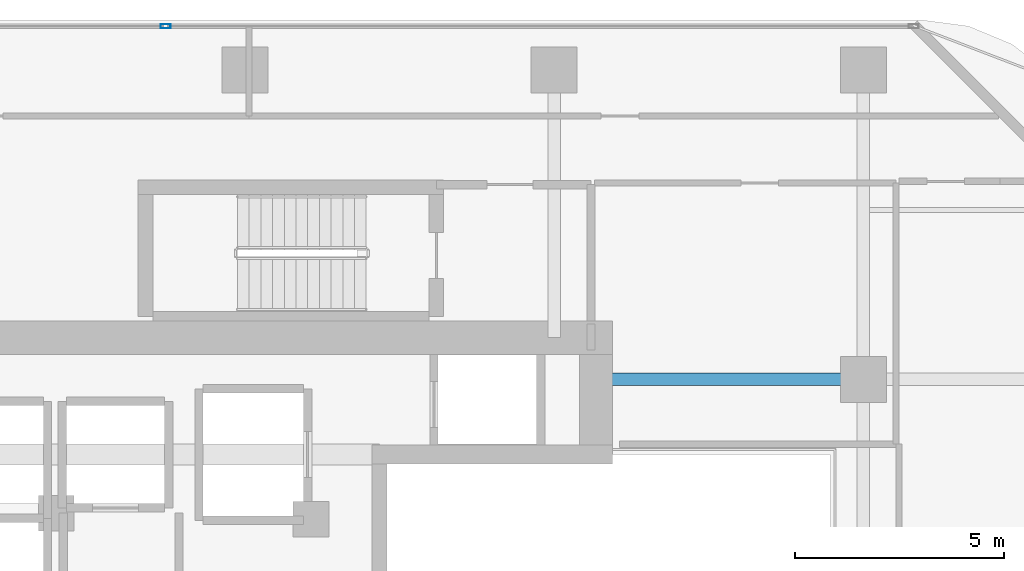
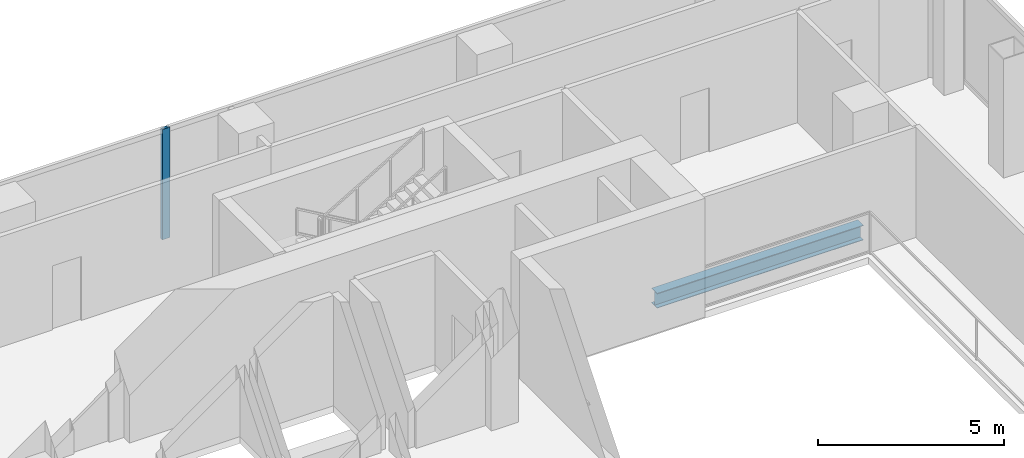
# One storey, part 13 of 23: 1 beam, 1 member, 1 element without a shape of its own.
"""IFC4 building model written with IfcOpenShell, lengths in metres."""

import ifcopenshell
import ifcopenshell.guid

model = None  # the IFC model being written
_history = None  # IfcOwnerHistory: only IFC2X3 demands one
_inside = {}  # id of a spatial element -> (the spatial element, [elements in it])
_under = {}  # id of a project, library or spatial element -> (it, [spatial elements below it])
_declared = {}  # id of a project -> (the project, [libraries it declares])
_typed = {}  # id of a type object -> (the type object, [elements of that type])
_made_of = {}  # id of a material, layer set ... -> (it, [elements and type objects made of it])


def new_model(schema):
    """Start an empty IFC model of exactly this schema.

    Asked for "IFC4X3", IfcOpenShell would pick the latest addendum, in which some entities
    have other attributes; the version numbers below select the first issue.
    IFC2X3 requires an IfcOwnerHistory on every rooted entity: one is made here for all.
    """
    global model, _history
    if schema == "IFC4X3":
        model = ifcopenshell.file(schema_version=(4, 3, 0, 0))
    else:
        model = ifcopenshell.file(schema=schema)
    _inside.clear()
    _under.clear()
    _declared.clear()
    _typed.clear()
    _made_of.clear()
    _history = None
    if model.schema == "IFC2X3":
        org = make("IfcOrganization", Name="unknown")
        user = make(
            "IfcPersonAndOrganization",
            ThePerson=make("IfcPerson", FamilyName="unknown"),
            TheOrganization=org,
        )
        app = make(
            "IfcApplication",
            ApplicationDeveloper=org,
            Version="unknown",
            ApplicationFullName="unknown",
            ApplicationIdentifier="unknown",
        )
        _history = make(
            "IfcOwnerHistory",
            OwningUser=user,
            OwningApplication=app,
            ChangeAction="ADDED",
            CreationDate=0,
        )
    return model


def make(cls, **values):
    """One entity of the class cls with the attributes given. An attribute that is None is left unset."""
    return model.create_entity(
        cls, **{name: value for name, value in values.items() if value is not None}
    )


def rooted(cls, **values):
    """An entity with a GlobalId (a new one), such as an element, a storey or a relation."""
    return make(cls, GlobalId=ifcopenshell.guid.new(), OwnerHistory=_history, **values)


def si_unit(unit_type, name, prefix=None):
    """IfcSIUnit, for example si_unit("LENGTHUNIT", "METRE", prefix="MILLI")."""
    return make("IfcSIUnit", UnitType=unit_type, Prefix=prefix, Name=name)


def assignment(units):
    """IfcUnitAssignment: the units of a project."""
    return None if units is None else make("IfcUnitAssignment", Units=units)


def point(xyz):
    """IfcCartesianPoint."""
    return None if xyz is None else make("IfcCartesianPoint", Coordinates=xyz)


def direction(xyz):
    """IfcDirection."""
    return None if xyz is None else make("IfcDirection", DirectionRatios=xyz)


def frame(location, z_axis=None, x_axis=None):
    """IfcAxis2Placement3D, a coordinate frame: its origin and axes. An axis left out is left unset."""
    return make(
        "IfcAxis2Placement3D",
        Location=point(location),
        Axis=direction(z_axis),
        RefDirection=direction(x_axis),
    )


def frame_2d(location, x_axis=None):
    """IfcAxis2Placement2D, a coordinate frame in the plane: its origin and x axis."""
    return make(
        "IfcAxis2Placement2D", Location=point(location), RefDirection=direction(x_axis)
    )


def origin():
    """The frame at (0, 0, 0) with its axes left unset."""
    return frame((0.0, 0.0, 0.0))


def origin_2d():
    """The frame at (0, 0) in the plane with its x axis left unset."""
    return frame_2d((0.0, 0.0))


def place(relative_to, where):
    """IfcLocalPlacement: puts the frame where relative to a parent placement (None: the world)."""
    return make(
        "IfcLocalPlacement", PlacementRelTo=relative_to, RelativePlacement=where
    )


def context(
    kind, dimensions, precision=None, world=None, true_north=None, identifier=None
):
    """IfcGeometricRepresentationContext, for example the 3D "Model" context."""
    return make(
        "IfcGeometricRepresentationContext",
        ContextIdentifier=identifier,
        ContextType=kind,
        CoordinateSpaceDimension=dimensions,
        Precision=precision,
        WorldCoordinateSystem=world,
        TrueNorth=true_north,
    )


def subcontext(parent, identifier, kind, view, scale=None):
    """IfcGeometricRepresentationSubContext, for example "Body" below "Model"."""
    return make(
        "IfcGeometricRepresentationSubContext",
        ContextIdentifier=identifier,
        ContextType=kind,
        ParentContext=parent,
        TargetScale=scale,
        TargetView=view,
    )


def project(units=None, contexts=None):
    """IfcProject with its units and contexts."""
    return rooted(
        "IfcProject",
        Name="project",
        RepresentationContexts=contexts,
        UnitsInContext=assignment(units),
    )


def spatial(cls, under=None, at=None, **own):
    """A site, building, storey or space (cls), placed at a placement, below another one or the project."""
    s = rooted(cls, ObjectPlacement=at, **own)
    if under is not None:
        _under.setdefault(under.id(), (under, []))[1].append(s)
    return s


def profile(cls, at=None, kind="AREA", **sizes):
    """A parametric profile (cls). Its sizes go by their IFC names, for example OverallWidth=200.0."""
    return make(cls, ProfileType=kind, Position=at, **sizes)


def hollow_rectangle(**sizes):
    """IfcRectangleHollowProfileDef."""
    return profile("IfcRectangleHollowProfileDef", **sizes)


def i_section(**sizes):
    """IfcIShapeProfileDef."""
    return profile("IfcIShapeProfileDef", **sizes)


def extrude(swept, where, along, depth):
    """IfcExtrudedAreaSolid: the profile swept, set in the frame where, extruded along a direction by depth."""
    return make(
        "IfcExtrudedAreaSolid",
        SweptArea=swept,
        Position=where,
        ExtrudedDirection=direction(along),
        Depth=depth,
    )


def shape(context_of_items, identifier, shape_type, items):
    """IfcShapeRepresentation: the items that make up one representation, for example the "Body"."""
    return make(
        "IfcShapeRepresentation",
        ContextOfItems=context_of_items,
        RepresentationIdentifier=identifier,
        RepresentationType=shape_type,
        Items=items,
    )


def material(Name=None, Category=None):
    """IfcMaterial."""
    return make("IfcMaterial", Name=Name, Category=Category)


def layer(
    of_material, thickness, ventilated=None, Name=None, Category=None, Priority=None
):
    """IfcMaterialLayer: one layer of a wall or slab, of a material (None: an air gap)."""
    return make(
        "IfcMaterialLayer",
        Material=of_material,
        LayerThickness=thickness,
        IsVentilated=ventilated,
        Name=Name,
        Category=Category,
        Priority=Priority,
    )


def layer_set(layers, Name=None):
    """IfcMaterialLayerSet."""
    return make("IfcMaterialLayerSet", MaterialLayers=layers, LayerSetName=Name)


def material_profile(
    of_material, cross_section, Name=None, Category=None, Priority=None
):
    """IfcMaterialProfile: a cross section and its material."""
    return make(
        "IfcMaterialProfile",
        Name=Name,
        Material=of_material,
        Profile=cross_section,
        Priority=Priority,
        Category=Category,
    )


def profile_set(profiles, Name=None, composite=None):
    """IfcMaterialProfileSet."""
    return make(
        "IfcMaterialProfileSet",
        Name=Name,
        MaterialProfiles=profiles,
        CompositeProfile=composite,
    )


def made_of(thing, what):
    """Note that an element or type object is made of a material, layer set ...; save() writes the relation."""
    if what is not None:
        _made_of.setdefault(what.id(), (what, []))[1].append(thing)
    return thing


def type_object(cls, material=None, **own):
    """A type object (cls), such as IfcWallType, which elements share."""
    return made_of(rooted(cls, **own), material)


def element(
    cls,
    number,
    at=None,
    inside=None,
    cuts=None,
    type_object=None,
    material=None,
    context=None,
    identifier="Body",
    shape_type=None,
    held_by="IfcProductDefinitionShape",
    body=None,
    shapes=None,
    **own,
):
    """One element of the class cls, such as IfcWall. Its Tag is "e" and its number.

    at: its placement. inside: the storey or other place that contains it. cuts: it is an
    opening in that element (IfcRelVoidsElement). A single representation is given by context,
    identifier, shape_type and body (its items); several are given by shapes. held_by: the class
    of the entity that holds the representations. save() writes the other relations.
    """
    e = rooted(cls, Tag="e%d" % number, ObjectPlacement=at, **own)
    if body is not None:
        shapes = [shape(context, identifier, shape_type, body)]
    if shapes is not None:
        e.Representation = make(held_by, Representations=shapes)
    if inside is not None:
        _inside.setdefault(inside.id(), (inside, []))[1].append(e)
    if cuts is not None:
        rooted(
            "IfcRelVoidsElement", RelatingBuildingElement=cuts, RelatedOpeningElement=e
        )
    if type_object is not None:
        _typed.setdefault(type_object.id(), (type_object, []))[1].append(e)
    return made_of(e, material)


def aggregate(whole, parts):
    """IfcRelAggregates: a whole, such as a stair, and the parts it consists of."""
    return rooted("IfcRelAggregates", RelatingObject=whole, RelatedObjects=parts)


def save(model, path):
    """Write the relations noted so far, then the file.

    IfcRelAggregates (storeys below a building ...), IfcRelContainedInSpatialStructure (elements
    in a storey), IfcRelDefinesByType, IfcRelAssociatesMaterial and IfcRelDeclares: one each for
    every whole, place, type object, material and project.
    """
    for whole, parts in _under.values():
        aggregate(whole, parts)
    for where, things in _inside.values():
        rooted(
            "IfcRelContainedInSpatialStructure",
            RelatedElements=things,
            RelatingStructure=where,
        )
    for kind, things in _typed.values():
        rooted("IfcRelDefinesByType", RelatedObjects=things, RelatingType=kind)
    for what, things in _made_of.values():
        rooted("IfcRelAssociatesMaterial", RelatedObjects=things, RelatingMaterial=what)
    for by, libraries in _declared.values():
        rooted("IfcRelDeclares", RelatingContext=by, RelatedDefinitions=libraries)
    model.write(path)


model = new_model("IFC4")

# Units and contexts
model_context = context("Model", 3, precision=1e-05, world=origin(), true_north=direction((0.0, 1.0)))
body_context = subcontext(model_context, "Body", "Model", "MODEL_VIEW")
ifc_project = project(units=[si_unit("LENGTHUNIT", "METRE"), si_unit("AREAUNIT", "SQUARE_METRE"), si_unit("VOLUMEUNIT", "CUBIC_METRE"), si_unit("PLANEANGLEUNIT", "RADIAN"), si_unit("MASSUNIT", "GRAM", prefix="KILO")], contexts=[model_context])

# Site, building, storey
site_placement = place(None, origin())
site = spatial("IfcSite", under=ifc_project, at=site_placement, CompositionType="ELEMENT")
building_placement = place(site_placement, origin())
building = spatial("IfcBuilding", under=site, at=building_placement, Name="Khorvyn Point Tower", CompositionType="ELEMENT")
storey_placement = place(building_placement, frame((0.0, 0.0, 207.0)))
storey = spatial("IfcBuildingStorey", under=building, at=storey_placement, Name="L51", CompositionType="ELEMENT", Elevation=207.0)

# Curtain wall, member
ifc_material_1 = material(Name="Anodised aluminium 6063-T6 and laminated Low-E glass", Category="aluminium")
ifc_layer = layer(ifc_material_1, 0.18994140625)
ifc_layer_set = layer_set([ifc_layer], Name="Stick-Built Acoustic Curtain Wall CW-SYS-03")
curtain_wall_type = type_object("IfcCurtainWallType", Name="Stick-Built Acoustic Curtain Wall CW-SYS-03", PredefinedType="NOTDEFINED", material=ifc_layer_set)
curtain_wall_placement = place(storey_placement, origin())
curtain_wall = element("IfcCurtainWall", 1, at=curtain_wall_placement, inside=storey, type_object=curtain_wall_type, Name="Curtain Wall", PredefinedType="NOTDEFINED")
ifc_material_2 = material(Name="Anodised aluminium 6063-T6", Category="aluminium")
ifc_material_profile_1 = material_profile(ifc_material_2, hollow_rectangle(XDim=0.10009765625, YDim=0.239990234375, WallThickness=0.0048828125, at=origin_2d()))
ifc_profile_set_1 = profile_set([ifc_material_profile_1], Name="Anodised aluminium 6063-T6 ALU-MUL-100x240")
member_type = type_object("IfcMemberType", Name="Anodised Aluminium 6063-T6 Mullion ALU-MUL-100x240", PredefinedType="MULLION", material=ifc_profile_set_1)
member_placement = place(storey_placement, frame((-1.89990234375, 15.85009765625, 0.0), z_axis=(0.0, 0.0, 1.0), x_axis=(0.0, 1.0, 0.0)))
member = element("IfcMember", 2, at=member_placement, type_object=member_type, Name="Transom", PredefinedType="MULLION", context=body_context, shape_type="SweptSolid", body=[
    extrude(hollow_rectangle(XDim=0.10009765625, YDim=0.239990234375, WallThickness=0.0048828125, at=origin_2d()), origin(), (0.0, 0.0, 1.0), 3.6201171875),
])
aggregate(curtain_wall, [member])

# Beam
ifc_material_3 = material(Name="Steel S355", Category="steel")
ifc_material_profile_2 = material_profile(ifc_material_3, i_section(OverallWidth=0.300048828125, OverallDepth=0.488037109375, WebThickness=0.010986328125, FlangeThickness=0.01806640625, at=origin_2d()))
ifc_profile_set_2 = profile_set([ifc_material_profile_2], Name="Steel S355 H488x300x11x18")
beam_type = type_object("IfcBeamType", Name="Steel S355 Spandrel H488x300x11x18", PredefinedType="SPANDREL", material=ifc_profile_set_2)
beam_placement = place(storey_placement, frame((8.39990234375, 7.39990234375, -0.464111328125), z_axis=(1.0, 0.0, 0.0), x_axis=(0.0, 1.0, 0.0)))
element("IfcBeam", 3, at=beam_placement, inside=storey, type_object=beam_type, Name="Beam", PredefinedType="SPANDREL", context=body_context, shape_type="SweptSolid", body=[
    extrude(i_section(OverallWidth=0.300048828125, OverallDepth=0.488037109375, WebThickness=0.010986328125, FlangeThickness=0.01806640625, at=origin_2d()), origin(), (0.0, 0.0, 1.0), 6.400146484375),
])

save(model, "model.ifc")
